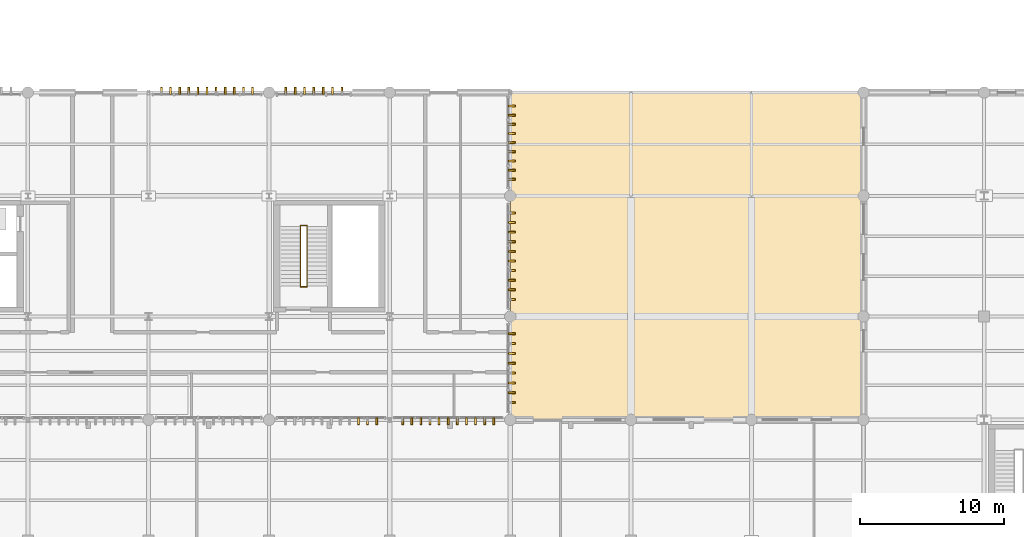
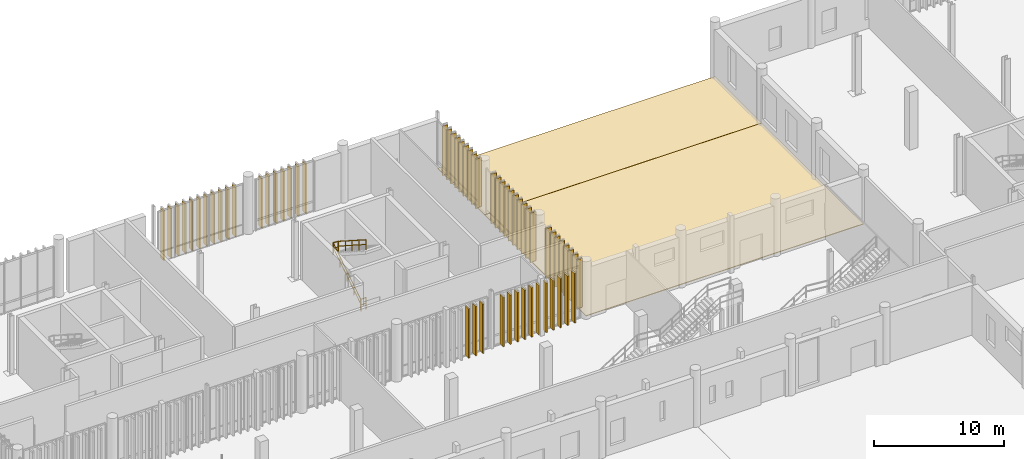
# One storey, part 106 of 112: 61 coverings, 4 railings, 2 elements without a shape of their own.
"""IFC4 building model written with IfcOpenShell, lengths in metres."""

from ifc_helpers import new_model, si_unit, direction, frame, frame_2d, origin_with_axes, origin_2d_with_axis, place, context, subcontext, project, spatial, polyline, rectangle, circle, outline, extrude, material, type_object, element, aggregate, save


model = new_model("IFC4")

# Units and contexts
model_context = context("Model", 3, precision=1e-05, world=origin_with_axes(), true_north=direction((0.0, 1.0)))
body_context = subcontext(model_context, "Body", "Model", "MODEL_VIEW")
ifc_project = project(units=[si_unit("LENGTHUNIT", "METRE"), si_unit("AREAUNIT", "SQUARE_METRE"), si_unit("VOLUMEUNIT", "CUBIC_METRE"), si_unit("PLANEANGLEUNIT", "RADIAN"), si_unit("MASSUNIT", "GRAM", prefix="KILO"), si_unit("THERMODYNAMICTEMPERATUREUNIT", "KELVIN")], contexts=[model_context])

# Site, building, storey
site_placement = place(None, origin_with_axes())
site = spatial("IfcSite", under=ifc_project, at=site_placement, CompositionType="ELEMENT")
building_placement = place(site_placement, origin_with_axes())
building = spatial("IfcBuilding", under=site, at=building_placement, Name="Montbau Bow Law Courts", CompositionType="ELEMENT")
storey_placement = place(building_placement, origin_with_axes())
storey = spatial("IfcBuildingStorey", under=building, at=storey_placement, Name="L00", CompositionType="ELEMENT", Elevation=0.0)

# Coverings
ifc_material_1 = material(Name="Freeze-Thaw Glazed Warm Cream Ceramic Vertical Louvre", Category="masonry")
covering_type_1 = type_object("IfcCoveringType", Name="CV-LVR-CRM", PredefinedType="CLADDING", material=ifc_material_1)
for number, where, z_axis, x_axis, name in (
    (1, (86.628, 39.13, 0.0), (-1.0, 0.0, 0.0), (0.0, -1.0, 0.0), "CLV-L00-1134:cov_1179"),
    (2, (87.262, 39.13, 0.0), (-1.0, 0.0, 0.0), (0.0, -1.0, 0.0), "CLV-L00-1135:cov_1180"),
    (3, (87.897, 39.13, 0.0), (-1.0, 0.0, 0.0), (0.0, -1.0, 0.0), "CLV-L00-1136:cov_1181"),
    (4, (89.702, 39.13, 0.0), (-1.0, 0.0, 0.0), (0.0, -1.0, 0.0), "CLV-L00-1137:cov_1182"),
    (5, (90.337, 39.13, 0.0), (-1.0, 0.0, 0.0), (0.0, -1.0, 0.0), "CLV-L00-1138:cov_1183"),
    (6, (90.972, 39.13, 0.0), (-1.0, 0.0, 0.0), (0.0, -1.0, 0.0), "CLV-L00-1139:cov_1184"),
    (7, (91.606, 39.13, 0.0), (-1.0, 0.0, 0.0), (0.0, -1.0, 0.0), "CLV-L00-1140:cov_1185"),
    (8, (92.241, 39.13, 0.0), (-1.0, 0.0, 0.0), (0.0, -1.0, 0.0), "CLV-L00-1141:cov_1186"),
    (9, (92.876, 39.13, 0.0), (-1.0, 0.0, 0.0), (0.0, -1.0, 0.0), "CLV-L00-1142:cov_1187"),
    (10, (93.511, 39.13, 0.0), (-1.0, 0.0, 0.0), (0.0, -1.0, 0.0), "CLV-L00-1143:cov_1188"),
    (11, (94.146, 39.13, 0.0), (-1.0, 0.0, 0.0), (0.0, -1.0, 0.0), "CLV-L00-1144:cov_1189"),
    (12, (94.781, 39.13, 0.0), (-1.0, 0.0, 0.0), (0.0, -1.0, 0.0), "CLV-L00-1145:cov_1190"),
    (13, (95.415, 39.13, 0.0), (-1.0, 0.0, 0.0), (0.0, -1.0, 0.0), "CLV-L00-1146:cov_1191"),
    (14, (96.05, 39.13, 0.0), (-1.0, 0.0, 0.0), (0.0, -1.0, 0.0), "CLV-L00-1147:cov_1192"),
    (15, (72.902, 61.67, 0.0), (1.0, 0.0, 0.0), (0.0, 1.0, 0.0), "CLV-L00-1169:cov_1214"),
    (16, (73.537, 61.67, 0.0), (1.0, 0.0, 0.0), (0.0, 1.0, 0.0), "CLV-L00-1170:cov_1215"),
    (17, (74.172, 61.67, 0.0), (1.0, 0.0, 0.0), (0.0, 1.0, 0.0), "CLV-L00-1171:cov_1216"),
    (18, (74.806, 61.67, 0.0), (1.0, 0.0, 0.0), (0.0, 1.0, 0.0), "CLV-L00-1172:cov_1217"),
    (19, (75.441, 61.67, 0.0), (1.0, 0.0, 0.0), (0.0, 1.0, 0.0), "CLV-L00-1173:cov_1218"),
    (20, (76.076, 61.67, 0.0), (1.0, 0.0, 0.0), (0.0, 1.0, 0.0), "CLV-L00-1174:cov_1219"),
    (21, (76.711, 61.67, 0.0), (1.0, 0.0, 0.0), (0.0, 1.0, 0.0), "CLV-L00-1175:cov_1220"),
    (22, (77.346, 61.67, 0.0), (1.0, 0.0, 0.0), (0.0, 1.0, 0.0), "CLV-L00-1176:cov_1221"),
    (23, (77.981, 61.67, 0.0), (1.0, 0.0, 0.0), (0.0, 1.0, 0.0), "CLV-L00-1177:cov_1222"),
    (24, (78.615, 61.67, 0.0), (1.0, 0.0, 0.0), (0.0, 1.0, 0.0), "CLV-L00-1178:cov_1223"),
    (25, (79.25, 61.67, 0.0), (1.0, 0.0, 0.0), (0.0, 1.0, 0.0), "CLV-L00-1179:cov_1224"),
    (26, (81.566, 61.67, 0.0), (1.0, 0.0, 0.0), (0.0, 1.0, 0.0), "CLV-L00-1180:cov_1225"),
    (27, (82.216, 61.67, 0.0), (1.0, 0.0, 0.0), (0.0, 1.0, 0.0), "CLV-L00-1181:cov_1226"),
    (28, (82.867, 61.67, 0.0), (1.0, 0.0, 0.0), (0.0, 1.0, 0.0), "CLV-L00-1182:cov_1227"),
    (29, (83.517, 61.67, 0.0), (1.0, 0.0, 0.0), (0.0, 1.0, 0.0), "CLV-L00-1183:cov_1228"),
    (30, (84.168, 61.67, 0.0), (1.0, 0.0, 0.0), (0.0, 1.0, 0.0), "CLV-L00-1184:cov_1229"),
    (31, (84.819, 61.67, 0.0), (1.0, 0.0, 0.0), (0.0, 1.0, 0.0), "CLV-L00-1185:cov_1230"),
    (32, (85.469, 61.67, 0.0), (1.0, 0.0, 0.0), (0.0, 1.0, 0.0), "CLV-L00-1186:cov_1231"),
    (33, (97.07, 40.201, 0.0), (0.0, -1.0, 0.0), (1.0, 0.0, 0.0), "CLV-L00-1214:cov_1259"),
    (34, (97.07, 40.886, 0.0), (0.0, -1.0, 0.0), (1.0, 0.0, 0.0), "CLV-L00-1215:cov_1260"),
    (35, (97.07, 41.572, 0.0), (0.0, -1.0, 0.0), (1.0, 0.0, 0.0), "CLV-L00-1216:cov_1261"),
    (36, (97.07, 42.257, 0.0), (0.0, -1.0, 0.0), (1.0, 0.0, 0.0), "CLV-L00-1217:cov_1262"),
    (37, (97.07, 42.943, 0.0), (0.0, -1.0, 0.0), (1.0, 0.0, 0.0), "CLV-L00-1218:cov_1263"),
    (38, (97.07, 43.628, 0.0), (0.0, -1.0, 0.0), (1.0, 0.0, 0.0), "CLV-L00-1219:cov_1264"),
    (39, (97.07, 44.314, 0.0), (0.0, -1.0, 0.0), (1.0, 0.0, 0.0), "CLV-L00-1220:cov_1265"),
    (40, (97.07, 44.999, 0.0), (0.0, -1.0, 0.0), (1.0, 0.0, 0.0), "CLV-L00-1221:cov_1266"),
    (41, (97.07, 47.385, 0.0), (0.0, -1.0, 0.0), (1.0, 0.0, 0.0), "CLV-L00-1222:cov_1267"),
    (42, (97.07, 48.055, 0.0), (0.0, -1.0, 0.0), (1.0, 0.0, 0.0), "CLV-L00-1223:cov_1268"),
    (43, (97.07, 48.725, 0.0), (0.0, -1.0, 0.0), (1.0, 0.0, 0.0), "CLV-L00-1224:cov_1269"),
    (44, (97.07, 49.395, 0.0), (0.0, -1.0, 0.0), (1.0, 0.0, 0.0), "CLV-L00-1225:cov_1270"),
    (45, (97.07, 50.065, 0.0), (0.0, -1.0, 0.0), (1.0, 0.0, 0.0), "CLV-L00-1226:cov_1271"),
    (46, (97.07, 50.735, 0.0), (0.0, -1.0, 0.0), (1.0, 0.0, 0.0), "CLV-L00-1227:cov_1272"),
    (47, (97.07, 51.405, 0.0), (0.0, -1.0, 0.0), (1.0, 0.0, 0.0), "CLV-L00-1228:cov_1273"),
    (48, (97.07, 52.075, 0.0), (0.0, -1.0, 0.0), (1.0, 0.0, 0.0), "CLV-L00-1229:cov_1274"),
    (49, (97.07, 52.745, 0.0), (0.0, -1.0, 0.0), (1.0, 0.0, 0.0), "CLV-L00-1230:cov_1275"),
    (50, (97.07, 53.415, 0.0), (0.0, -1.0, 0.0), (1.0, 0.0, 0.0), "CLV-L00-1231:cov_1276"),
    (51, (97.07, 55.753, 0.0), (0.0, -1.0, 0.0), (1.0, 0.0, 0.0), "CLV-L00-1232:cov_1277"),
    (52, (97.07, 56.392, 0.0), (0.0, -1.0, 0.0), (1.0, 0.0, 0.0), "CLV-L00-1233:cov_1278"),
    (53, (97.07, 57.03, 0.0), (0.0, -1.0, 0.0), (1.0, 0.0, 0.0), "CLV-L00-1234:cov_1279"),
    (54, (97.07, 57.669, 0.0), (0.0, -1.0, 0.0), (1.0, 0.0, 0.0), "CLV-L00-1235:cov_1280"),
    (55, (97.07, 58.307, 0.0), (0.0, -1.0, 0.0), (1.0, 0.0, 0.0), "CLV-L00-1236:cov_1281"),
    (56, (97.07, 58.945, 0.0), (0.0, -1.0, 0.0), (1.0, 0.0, 0.0), "CLV-L00-1237:cov_1282"),
    (57, (97.07, 59.584, 0.0), (0.0, -1.0, 0.0), (1.0, 0.0, 0.0), "CLV-L00-1238:cov_1283"),
    (58, (97.07, 60.222, 0.0), (0.0, -1.0, 0.0), (1.0, 0.0, 0.0), "CLV-L00-1239:cov_1284"),
    (59, (97.07, 60.861, 0.0), (0.0, -1.0, 0.0), (1.0, 0.0, 0.0), "CLV-L00-1240:cov_1285"),
):
    element("IfcCovering", number, at=place(None, frame(where, z_axis=z_axis, x_axis=x_axis)), inside=storey, type_object=covering_type_1, Name=name, PredefinedType="CLADDING", context=body_context, shape_type="SweptSolid", body=[
        extrude(rectangle(XDim=0.48, YDim=4.64, at=frame_2d((0.24, 2.32), x_axis=(1.0, 0.0))), frame((0.0, 0.0, -0.06), z_axis=(0.0, 0.0, 1.0), x_axis=(1.0, 0.0, 0.0)), (0.0, 0.0, 1.0), 0.12),
    ])

# Roof, covering
ifc_material_2 = material(Name="Insulated Inverted Membrane Roof", Category="other")
roof_type = type_object("IfcRoofType", Name="RF-FL-01", PredefinedType="FLAT_ROOF", material=ifc_material_2)
roof_1_placement = place(None, frame((97.204, 39.004, 0.0), z_axis=(0.0, 0.0, 1.0), x_axis=(1.0, 0.0, 0.0)))
roof_1 = element("IfcRoof", 60, at=roof_1_placement, inside=storey, type_object=roof_type, Name="ROOF-LID-L00-07:rof_0012", PredefinedType="FLAT_ROOF")
ifc_material_3 = material(Name="Standing-Seam Pre-Weathered Zinc Roofing Membrane", Category="steel")
covering_type_2 = type_object("IfcCoveringType", Name="CV-ROF-01", PredefinedType="ROOFING", material=ifc_material_3)
covering_1_placement = place(None, origin_with_axes())
covering_1 = element("IfcCovering", 61, at=covering_1_placement, type_object=covering_type_2, Name="CVR-LID-L00-07:cov_0012", PredefinedType="ROOFING", context=body_context, shape_type="SweptSolid", body=[
    extrude(outline(polyline([(121.796, 39.004), (97.204, 39.004), (97.204, 54.596), (121.796, 54.596), (121.796, 39.004)])), origin_with_axes(), (0.0, 0.0, 1.0), 0.06),
])
aggregate(roof_1, [covering_1])

roof_2_placement = place(None, frame((97.204, 54.604, 0.0), z_axis=(0.0, 0.0, 1.0), x_axis=(1.0, 0.0, 0.0)))
roof_2 = element("IfcRoof", 62, at=roof_2_placement, inside=storey, type_object=roof_type, Name="ROOF-LID-L00-10:rof_0015", PredefinedType="FLAT_ROOF")
covering_2_placement = place(None, origin_with_axes())
covering_2 = element("IfcCovering", 63, at=covering_2_placement, type_object=covering_type_2, Name="CVR-LID-L00-10:cov_0015", PredefinedType="ROOFING", context=body_context, shape_type="SweptSolid", body=[
    extrude(outline(polyline([(121.796, 54.604), (97.204, 54.604), (97.204, 61.8), (121.796, 61.8), (121.796, 54.604)])), origin_with_axes(), (0.0, 0.0, 1.0), 0.06),
])
aggregate(roof_2, [covering_2])

# Railings
ifc_material_4 = material(Name="Architectural Bronze-Finished Steel Stair Guard", Category="steel")
railing_type_1 = type_object("IfcRailingType", Name="RL-GRD-1100", PredefinedType="GUARDRAIL", material=ifc_material_4)
railing_1_placement = place(None, origin_with_axes())
element("IfcRailing", 64, at=railing_1_placement, inside=storey, type_object=railing_type_1, Name="SG-ST-P3-L00-ML:rlg_0132", PredefinedType="GUARDRAIL", context=body_context, shape_type="SweptSolid", body=[
    extrude(circle(Radius=0.0225, at=origin_2d_with_axis()), frame((82.585, 52.53, 3.802), z_axis=(1.0, 0.0, 0.0), x_axis=(0.0, 0.0, 1.0)), (0.0, 0.0, 1.0), 0.455),
    extrude(circle(Radius=0.02025, at=origin_2d_with_axis()), frame((82.585, 52.53, 3.272), z_axis=(1.0, 0.0, 0.0), x_axis=(0.0, 0.0, 1.0)), (0.0, 0.0, 1.0), 0.455),
    extrude(circle(Radius=0.02025, at=origin_2d_with_axis()), frame((82.585, 52.53, 2.7), z_axis=(0.0, 0.0, 1.0), x_axis=(1.0, 0.0, 0.0)), (0.0, 0.0, 1.0), 1.07525),
    extrude(circle(Radius=0.02025, at=origin_2d_with_axis()), frame((83.04, 52.53, 2.7), z_axis=(0.0, 0.0, 1.0), x_axis=(1.0, 0.0, 0.0)), (0.0, 0.0, 1.0), 1.07525),
])
railing_2_placement = place(None, origin_with_axes())
element("IfcRailing", 65, at=railing_2_placement, inside=storey, type_object=railing_type_1, Name="SG-ST-P3-L00-BL:rlg_0133", PredefinedType="GUARDRAIL", context=body_context, shape_type="SweptSolid", body=[
    extrude(circle(Radius=0.0225, at=origin_2d_with_axis()), frame((82.585, 48.27, 1.102), z_axis=(1.0, 0.0, 0.0), x_axis=(0.0, 0.0, 1.0)), (0.0, 0.0, 1.0), 0.455),
    extrude(circle(Radius=0.02025, at=origin_2d_with_axis()), frame((82.585, 48.27, 0.572), z_axis=(1.0, 0.0, 0.0), x_axis=(0.0, 0.0, 1.0)), (0.0, 0.0, 1.0), 0.455),
    extrude(circle(Radius=0.02025, at=origin_2d_with_axis()), frame((82.585, 48.27, 0.0), z_axis=(0.0, 0.0, 1.0), x_axis=(1.0, 0.0, 0.0)), (0.0, 0.0, 1.0), 1.07525),
    extrude(circle(Radius=0.02025, at=origin_2d_with_axis()), frame((83.04, 48.27, 0.0), z_axis=(0.0, 0.0, 1.0), x_axis=(1.0, 0.0, 0.0)), (0.0, 0.0, 1.0), 1.07525),
])
ifc_material_5 = material(Name="White-Oak and Stainless Continuous Stair Handrail", Category="steel")
railing_type_2 = type_object("IfcRailingType", Name="RL-HND-0920", PredefinedType="HANDRAIL", material=ifc_material_5)
railing_3_placement = place(None, origin_with_axes())
element("IfcRailing", 66, at=railing_3_placement, inside=storey, type_object=railing_type_2, Name="HR-ST-P3-L00-1:rlg_0134", PredefinedType="HANDRAIL", context=body_context, shape_type="SweptSolid", body=[
    extrude(circle(Radius=0.021, at=origin_2d_with_axis()), frame((82.585, 48.3, 1.102), z_axis=(0.0, 0.841178475, 0.540757591), x_axis=(0.0, -0.540757591, 0.841178475)), (0.0, 0.0, 1.0), 4.992995),
    extrude(circle(Radius=0.0189, at=origin_2d_with_axis()), frame((82.585, 48.3, 0.6584), z_axis=(0.0, 0.841178475, 0.540757591), x_axis=(0.0, -0.540757591, 0.841178475)), (0.0, 0.0, 1.0), 4.992995),
    extrude(circle(Radius=0.0189, at=origin_2d_with_axis()), frame((82.585, 48.3, 0.18), z_axis=(0.0, 0.0, 1.0), x_axis=(1.0, 0.0, 0.0)), (0.0, 0.0, 1.0), 0.8969),
    extrude(circle(Radius=0.0189, at=origin_2d_with_axis()), frame((82.585, 49.35, 0.855), z_axis=(0.0, 0.0, 1.0), x_axis=(1.0, 0.0, 0.0)), (0.0, 0.0, 1.0), 0.8969),
    extrude(circle(Radius=0.0189, at=origin_2d_with_axis()), frame((82.585, 50.4, 1.53), z_axis=(0.0, 0.0, 1.0), x_axis=(1.0, 0.0, 0.0)), (0.0, 0.0, 1.0), 0.8969),
    extrude(circle(Radius=0.0189, at=origin_2d_with_axis()), frame((82.585, 51.45, 2.205), z_axis=(0.0, 0.0, 1.0), x_axis=(1.0, 0.0, 0.0)), (0.0, 0.0, 1.0), 0.8969),
    extrude(circle(Radius=0.0189, at=origin_2d_with_axis()), frame((82.585, 52.5, 2.88), z_axis=(0.0, 0.0, 1.0), x_axis=(1.0, 0.0, 0.0)), (0.0, 0.0, 1.0), 0.8969),
])
railing_4_placement = place(None, origin_with_axes())
element("IfcRailing", 67, at=railing_4_placement, inside=storey, type_object=railing_type_2, Name="HR-ST-P3-L00-2:rlg_0135", PredefinedType="HANDRAIL", context=body_context, shape_type="SweptSolid", body=[
    extrude(circle(Radius=0.021, at=origin_2d_with_axis()), frame((83.04, 52.5, 3.802), z_axis=(0.0, -0.841178475, 0.540757591), x_axis=(0.0, 0.540757591, 0.841178475)), (0.0, 0.0, 1.0), 4.992995),
    extrude(circle(Radius=0.0189, at=origin_2d_with_axis()), frame((83.04, 52.5, 3.3584), z_axis=(0.0, -0.841178475, 0.540757591), x_axis=(0.0, 0.540757591, 0.841178475)), (0.0, 0.0, 1.0), 4.992995),
    extrude(circle(Radius=0.0189, at=origin_2d_with_axis()), frame((83.04, 52.5, 2.88), z_axis=(0.0, 0.0, 1.0), x_axis=(1.0, 0.0, 0.0)), (0.0, 0.0, 1.0), 0.8969),
    extrude(circle(Radius=0.0189, at=origin_2d_with_axis()), frame((83.04, 51.45, 3.555), z_axis=(0.0, 0.0, 1.0), x_axis=(1.0, 0.0, 0.0)), (0.0, 0.0, 1.0), 0.8969),
    extrude(circle(Radius=0.0189, at=origin_2d_with_axis()), frame((83.04, 50.4, 4.23), z_axis=(0.0, 0.0, 1.0), x_axis=(1.0, 0.0, 0.0)), (0.0, 0.0, 1.0), 0.8969),
    extrude(circle(Radius=0.0189, at=origin_2d_with_axis()), frame((83.04, 49.35, 4.905), z_axis=(0.0, 0.0, 1.0), x_axis=(1.0, 0.0, 0.0)), (0.0, 0.0, 1.0), 0.8969),
    extrude(circle(Radius=0.0189, at=origin_2d_with_axis()), frame((83.04, 48.3, 5.58), z_axis=(0.0, 0.0, 1.0), x_axis=(1.0, 0.0, 0.0)), (0.0, 0.0, 1.0), 0.8969),
])

save(model, "model.ifc")
